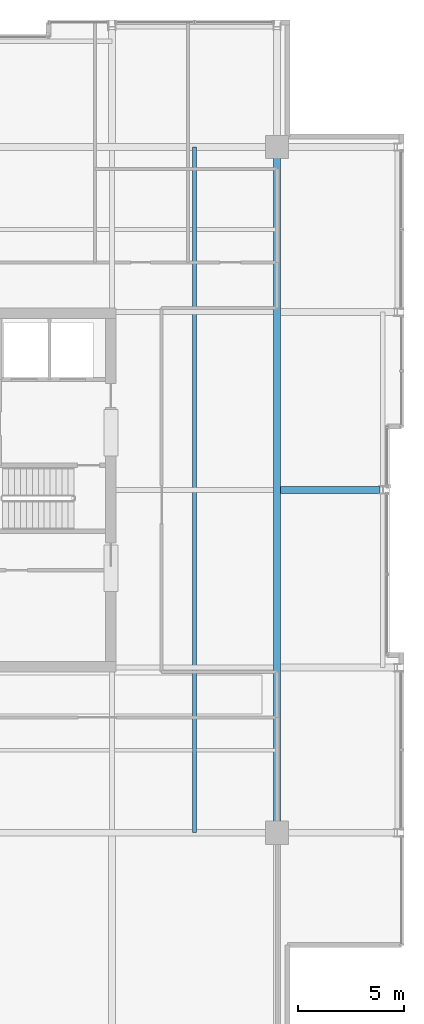
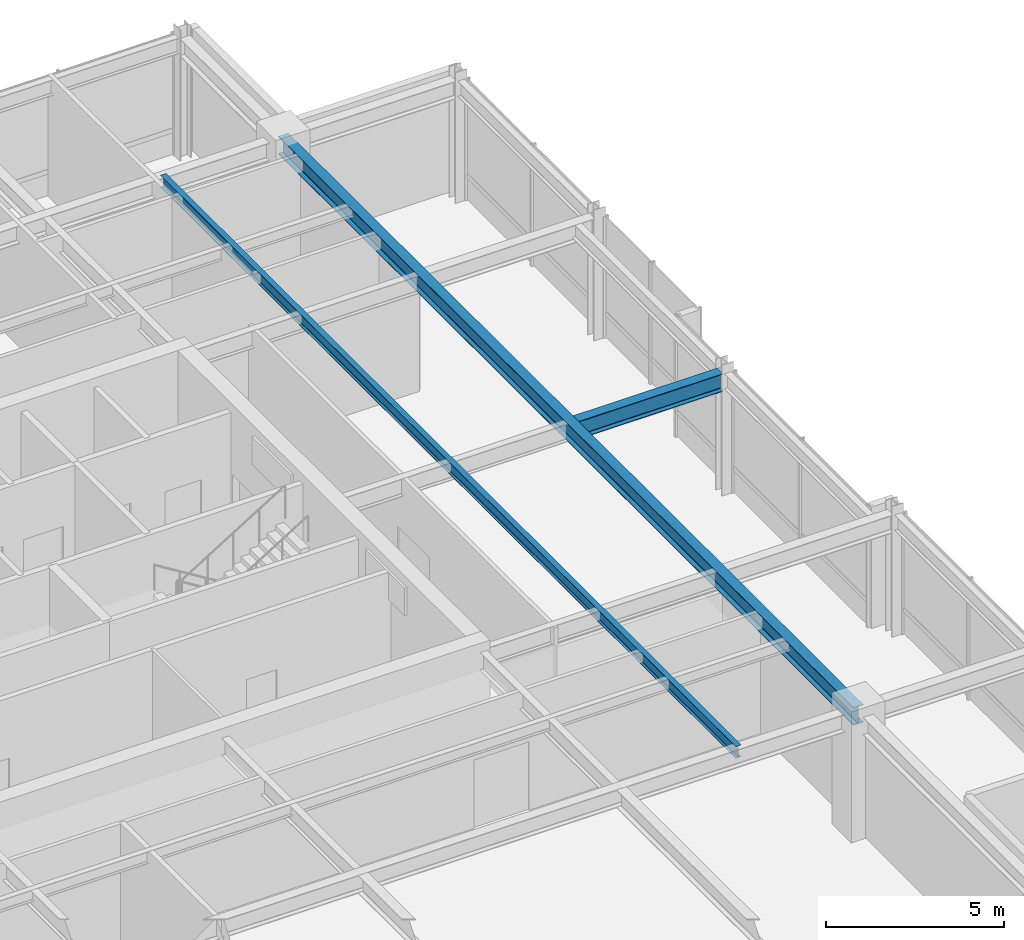
# One storey, part 16 of 32: 3 beams.
"""IFC4 building model written with IfcOpenShell, lengths in metres."""

from ifc_helpers import new_model, si_unit, direction, frame, origin, origin_2d, place, context, subcontext, project, spatial, i_section, extrude, material, material_profile, profile_set, type_object, element, save


model = new_model("IFC4")

# Units and contexts
model_context = context("Model", 3, precision=1e-05, world=origin(), true_north=direction((0.0, 1.0)))
body_context = subcontext(model_context, "Body", "Model", "MODEL_VIEW")
ifc_project = project(units=[si_unit("LENGTHUNIT", "METRE"), si_unit("AREAUNIT", "SQUARE_METRE"), si_unit("VOLUMEUNIT", "CUBIC_METRE"), si_unit("PLANEANGLEUNIT", "RADIAN"), si_unit("MASSUNIT", "GRAM", prefix="KILO")], contexts=[model_context])

# Site, building, storey
site_placement = place(None, origin())
site = spatial("IfcSite", under=ifc_project, at=site_placement, CompositionType="ELEMENT")
building_placement = place(site_placement, origin())
building = spatial("IfcBuilding", under=site, at=building_placement, Name="Drelvath Grand Hotel", CompositionType="ELEMENT")
storey_placement = place(building_placement, frame((0.0, 0.0, 255.5)))
storey = spatial("IfcBuildingStorey", under=building, at=storey_placement, Name="L67", CompositionType="ELEMENT", Elevation=255.5)

# Beams
ifc_material = material(Name="Steel ASTM A992 Gr 50", Category="steel")
ifc_material_profile_1 = material_profile(ifc_material, i_section(OverallWidth=0.177734375, OverallDepth=0.40673828125, WebThickness=0.0078125, FlangeThickness=0.0126953125, FilletRadius=0.014892578125, at=origin_2d()), Name="W16X40")
ifc_profile_set_1 = profile_set([ifc_material_profile_1], Name="Steel ASTM A992 Gr 50")
beam_type_1 = type_object("IfcBeamType", Name="Composite Floor Joist W16X40", PredefinedType="JOIST", material=ifc_profile_set_1)
beam_1_placement = place(storey_placement, frame((12.300048828125, 10.800048828125, 3.976806640625), z_axis=(0.0, 1.0, 0.0), x_axis=(-1.0, 0.0, 0.0)))
element("IfcBeam", 1, at=beam_1_placement, inside=storey, type_object=beam_type_1, Name="L67 Wing Floor Joist J4", PredefinedType="JOIST", context=body_context, shape_type="SweptSolid", body=[
    extrude(i_section(OverallWidth=0.177734375, OverallDepth=0.40673828125, WebThickness=0.0078125, FlangeThickness=0.0126953125, FilletRadius=0.014892578125, at=origin_2d()), origin(), (0.0, 0.0, 1.0), 32.39990234375),
])
ifc_material_profile_2 = material_profile(ifc_material, i_section(OverallWidth=0.323974609375, OverallDepth=0.611083984375, WebThickness=0.0126953125, FlangeThickness=0.01904296875, FilletRadius=0.02197265625, at=origin_2d()), Name="W24X104")
ifc_profile_set_2 = profile_set([ifc_material_profile_2], Name="Steel ASTM A992 Gr 50")
beam_type_2 = type_object("IfcBeamType", Name="Primary Floor Girder W24X104", PredefinedType="BEAM", material=ifc_profile_set_2)
beam_2_placement = place(storey_placement, frame((16.199951171875, 10.800048828125, 3.87451171875), z_axis=(0.0, 1.0, 0.0), x_axis=(-1.0, 0.0, 0.0)))
element("IfcBeam", 2, at=beam_2_placement, inside=storey, type_object=beam_type_2, Name="L67 Mega Ring Girder East", PredefinedType="BEAM", context=body_context, shape_type="SweptSolid", body=[
    extrude(i_section(OverallWidth=0.323974609375, OverallDepth=0.611083984375, WebThickness=0.0126953125, FlangeThickness=0.01904296875, FilletRadius=0.02197265625, at=origin_2d()), origin(), (0.0, 0.0, 1.0), 32.39990234375),
])
beam_3_placement = place(storey_placement, frame((16.362060546875, 27.0, 3.87451171875), z_axis=(1.0, 0.0, 0.0), x_axis=(0.0, 1.0, 0.0)))
element("IfcBeam", 3, at=beam_3_placement, inside=storey, type_object=beam_type_2, Name="L67 East Wing Girder E", PredefinedType="BEAM", context=body_context, shape_type="SweptSolid", body=[
    extrude(i_section(OverallWidth=0.323974609375, OverallDepth=0.611083984375, WebThickness=0.0126953125, FlangeThickness=0.01904296875, FilletRadius=0.02197265625, at=origin_2d()), origin(), (0.0, 0.0, 1.0), 4.697998046875),
])

save(model, "model.ifc")
